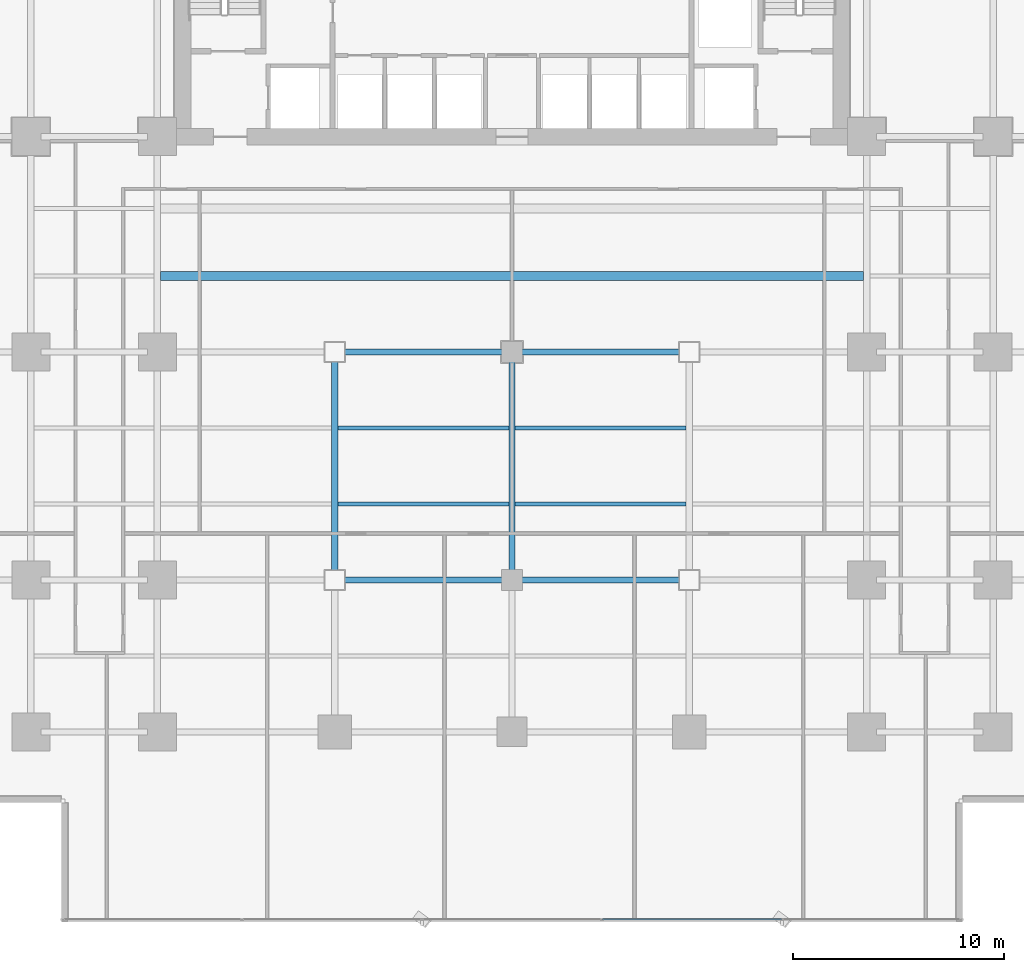
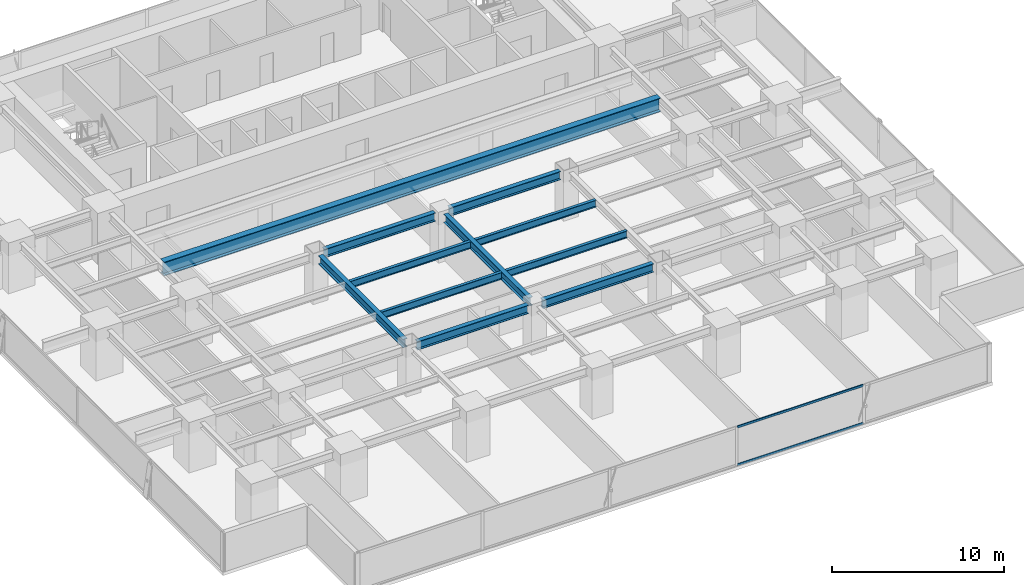
# One storey, part 10 of 34: 11 beams, 2 members, 1 element without a shape of its own.
"""IFC4 building model written with IfcOpenShell, lengths in metres."""

from ifc_helpers import new_model, si_unit, direction, frame, origin, origin_2d, place, context, subcontext, project, spatial, hollow_rectangle, i_section, extrude, source, transform, mapped, material, layer, layer_set, material_profile, profile_set, type_object, element, aggregate, save


model = new_model("IFC4")

# Units and contexts
model_context = context("Model", 3, precision=1e-05, world=origin(), true_north=direction((0.0, 1.0)))
body_context = subcontext(model_context, "Body", "Model", "MODEL_VIEW")
ifc_project = project(units=[si_unit("LENGTHUNIT", "METRE"), si_unit("AREAUNIT", "SQUARE_METRE"), si_unit("VOLUMEUNIT", "CUBIC_METRE"), si_unit("PLANEANGLEUNIT", "RADIAN"), si_unit("MASSUNIT", "GRAM", prefix="KILO")], contexts=[model_context])

# Site, building, storey
site_placement = place(None, origin())
site = spatial("IfcSite", under=ifc_project, at=site_placement, CompositionType="ELEMENT")
building_placement = place(site_placement, origin())
building = spatial("IfcBuilding", under=site, at=building_placement, Name="Sumidabori Civic Tower", CompositionType="ELEMENT")
storey_placement = place(building_placement, frame((0.0, 0.0, 41.60009765625)))
storey = spatial("IfcBuildingStorey", under=building, at=storey_placement, Name="L10", CompositionType="ELEMENT", Elevation=41.60009765625)

# Beams
ifc_material_1 = material(Name="Steel SN490", Category="steel")
ifc_material_profile_1 = material_profile(ifc_material_1, i_section(OverallWidth=0.300048828125, OverallDepth=0.60009765625, WebThickness=0.015380859375, FlangeThickness=0.030029296875, at=origin_2d()), Name="HE 600 B")
ifc_profile_set_1 = profile_set([ifc_material_profile_1], Name="Steel SN490")
beam_type_1 = type_object("IfcBeamType", Name="BM-GIRD-600", PredefinedType="BEAM", material=ifc_profile_set_1)
shared_shape_1 = source(origin(), body_context, "Body", "SweptSolid", [
    extrude(i_section(OverallWidth=0.300048828125, OverallDepth=0.60009765625, WebThickness=0.015380859375, FlangeThickness=0.030029296875, at=origin_2d()), origin(), (0.0, 0.0, 1.0), 7.43994140625),
])
for number, where, z_axis, x_axis, name in (
    (1, (-7.919921875, -10.800048828125, 3.059814453125), (1.0, 0.0, 0.0), (0.0, 1.0, 0.0), "Primary Girder L10 GX-09"),
    (2, (0.47998046875, -10.800048828125, 3.059814453125), (1.0, 0.0, 0.0), (0.0, 1.0, 0.0), "Primary Girder L10 GX-10"),
    (3, (-7.919921875, 0.0, 3.059814453125), (1.0, 0.0, 0.0), (0.0, 1.0, 0.0), "Primary Girder L10 GX-15"),
    (4, (0.47998046875, 0.0, 3.059814453125), (1.0, 0.0, 0.0), (0.0, 1.0, 0.0), "Primary Girder L10 GX-16"),
):
    element("IfcBeam", number, at=place(storey_placement, frame(where, z_axis=z_axis, x_axis=x_axis)), inside=storey, type_object=beam_type_1, Name=name, PredefinedType="BEAM", context=body_context, shape_type="MappedRepresentation", body=[
        mapped(shared_shape_1, transform((0.0, 0.0, 0.0), x_axis=(1.0, 0.0, 0.0), y_axis=(0.0, 1.0, 0.0), z_axis=(0.0, 0.0, 1.0), scale=1.0)),
    ])
shared_shape_2 = source(origin(), body_context, "Body", "SweptSolid", [
    extrude(i_section(OverallWidth=0.300048828125, OverallDepth=0.60009765625, WebThickness=0.015380859375, FlangeThickness=0.030029296875, at=origin_2d()), origin(), (0.0, 0.0, 1.0), 9.840087890625),
])
for number, where, z_axis, x_axis, name in (
    (5, (-8.39990234375, -10.320068359375, 3.059814453125), (0.0, 1.0, 0.0), (-1.0, 0.0, 0.0), "Primary Girder L10 GY-30"),
    (6, (0.0, -10.320068359375, 3.059814453125), (0.0, 1.0, 0.0), (-1.0, 0.0, 0.0), "Primary Girder L10 GY-32"),
):
    element("IfcBeam", number, at=place(storey_placement, frame(where, z_axis=z_axis, x_axis=x_axis)), inside=storey, type_object=beam_type_1, Name=name, PredefinedType="BEAM", context=body_context, shape_type="MappedRepresentation", body=[
        mapped(shared_shape_2, transform((0.0, 0.0, 0.0), x_axis=(1.0, 0.0, 0.0), y_axis=(0.0, 1.0, 0.0), z_axis=(0.0, 0.0, 1.0), scale=1.0)),
    ])
ifc_material_profile_2 = material_profile(ifc_material_1, i_section(OverallWidth=0.199951171875, OverallDepth=0.5, WebThickness=0.01025390625, FlangeThickness=0.01611328125, at=origin_2d()), Name="IPE 500")
ifc_profile_set_2 = profile_set([ifc_material_profile_2], Name="Steel SN490")
beam_type_2 = type_object("IfcBeamType", Name="BM-JST-500", PredefinedType="JOIST", material=ifc_profile_set_2)
shared_shape_3 = source(origin(), body_context, "Body", "SweptSolid", [
    extrude(i_section(OverallWidth=0.199951171875, OverallDepth=0.5, WebThickness=0.01025390625, FlangeThickness=0.01611328125, at=origin_2d()), origin(), (0.0, 0.0, 1.0), 8.10009765625),
])
for number, where, z_axis, x_axis, name in (
    (7, (-8.25, -7.199951171875, 3.10986328125), (1.0, 0.0, 0.0), (0.0, 1.0, 0.0), "South Bay Floor Joist L10 JSTS-66"),
    (8, (0.14990234375, -7.199951171875, 3.10986328125), (1.0, 0.0, 0.0), (0.0, 1.0, 0.0), "South Bay Floor Joist L10 JSTS-67"),
    (9, (-8.25, -3.60009765625, 3.10986328125), (1.0, 0.0, 0.0), (0.0, 1.0, 0.0), "South Bay Floor Joist L10 JSTS-70"),
    (10, (0.14990234375, -3.60009765625, 3.10986328125), (1.0, 0.0, 0.0), (0.0, 1.0, 0.0), "South Bay Floor Joist L10 JSTS-71"),
):
    element("IfcBeam", number, at=place(storey_placement, frame(where, z_axis=z_axis, x_axis=x_axis)), inside=storey, type_object=beam_type_2, Name=name, PredefinedType="JOIST", context=body_context, shape_type="MappedRepresentation", body=[
        mapped(shared_shape_3, transform((0.0, 0.0, 0.0), x_axis=(1.0, 0.0, 0.0), y_axis=(0.0, 1.0, 0.0), z_axis=(0.0, 0.0, 1.0), scale=1.0)),
    ])
ifc_material_2 = material(Name="Steel SM570", Category="steel")
ifc_material_profile_3 = material_profile(ifc_material_2, i_section(OverallWidth=0.427978515625, OverallDepth=0.97509765625, WebThickness=0.02392578125, FlangeThickness=0.04296875, at=origin_2d()), Name="W36X395")
ifc_profile_set_3 = profile_set([ifc_material_profile_3], Name="Steel SM570")
beam_type_3 = type_object("IfcBeamType", Name="BM-HEAVY-W36B", PredefinedType="BEAM", material=ifc_profile_set_3)
shared_shape_4 = source(origin(), body_context, "Body", "SweptSolid", [
    extrude(i_section(OverallWidth=0.427978515625, OverallDepth=0.97509765625, WebThickness=0.02392578125, FlangeThickness=0.04296875, at=origin_2d()), origin(), (0.0, 0.0, 1.0), 33.2998046875),
])
beam_placement = place(storey_placement, frame((-16.64990234375, 3.60009765625, 2.872314453125), z_axis=(1.0, 0.0, 0.0), x_axis=(0.0, 1.0, 0.0)))
element("IfcBeam", 11, at=beam_placement, inside=storey, type_object=beam_type_3, Name="North Bay Floor Beam L10 JSTN-59", PredefinedType="BEAM", context=body_context, shape_type="MappedRepresentation", body=[
    mapped(shared_shape_4, transform((0.0, 0.0, 0.0), x_axis=(1.0, 0.0, 0.0), y_axis=(0.0, 1.0, 0.0), z_axis=(0.0, 0.0, 1.0), scale=1.0)),
])

# Curtain wall, members
ifc_material_3 = material(Name="Anodised Bronze Aluminium AW-6063-T6", Category="aluminium")
ifc_layer = layer(ifc_material_3, 0.179931640625, Name="Anodised Bronze Aluminium AW-6063-T6")
ifc_layer_set = layer_set([ifc_layer], Name="Anodised Bronze Aluminium AW-6063-T6")
curtain_wall_type = type_object("IfcCurtainWallType", Name="CW-SYS-2", PredefinedType="NOTDEFINED", material=ifc_layer_set)
curtain_wall_placement = place(storey_placement, origin())
curtain_wall = element("IfcCurtainWall", 12, at=curtain_wall_placement, inside=storey, type_object=curtain_wall_type, Name="Curtain Wall CW:L10:R01", PredefinedType="NOTDEFINED")
ifc_material_profile_4 = material_profile(ifc_material_3, hollow_rectangle(XDim=0.06494140625, YDim=0.14990234375, WallThickness=0.0048828125, at=origin_2d()), Name="ALU TRANSOM 150x65")
ifc_profile_set_4 = profile_set([ifc_material_profile_4], Name="Anodised Bronze Aluminium AW-6063-T6")
member_type = type_object("IfcMemberType", Name="CW-TRN-150", PredefinedType="USERDEFINED", material=ifc_profile_set_4)
shared_shape_5 = source(origin(), body_context, "Body", "SweptSolid", [
    extrude(hollow_rectangle(XDim=0.06494140625, YDim=0.14990234375, WallThickness=0.0048828125, at=origin_2d()), origin(), (0.0, 0.0, 1.0), 8.4580078125),
])
member_1_placement = place(storey_placement, frame((4.299072265625, -26.8798828125, 0.032470703125), z_axis=(1.0, 0.0, 0.0), x_axis=(0.0, 1.0, 0.0)))
member_1 = element("IfcMember", 13, at=member_1_placement, type_object=member_type, Name="CW-2 transom 4.1", ObjectType="TRANSOM", PredefinedType="USERDEFINED", context=body_context, shape_type="MappedRepresentation", body=[
    mapped(shared_shape_5, transform((0.0, 0.0, 0.0), x_axis=(1.0, 0.0, 0.0), y_axis=(0.0, 1.0, 0.0), z_axis=(0.0, 0.0, 1.0), scale=1.0)),
])
member_2_placement = place(storey_placement, frame((4.299072265625, -26.8798828125, 2.70751953125), z_axis=(1.0, 0.0, 0.0), x_axis=(0.0, 1.0, 0.0)))
member_2 = element("IfcMember", 14, at=member_2_placement, type_object=member_type, Name="CW-2 transom 4.2", ObjectType="TRANSOM", PredefinedType="USERDEFINED", context=body_context, shape_type="MappedRepresentation", body=[
    mapped(shared_shape_5, transform((0.0, 0.0, 0.0), x_axis=(1.0, 0.0, 0.0), y_axis=(0.0, 1.0, 0.0), z_axis=(0.0, 0.0, 1.0), scale=1.0)),
])
aggregate(curtain_wall, [member_1, member_2])

save(model, "model.ifc")
